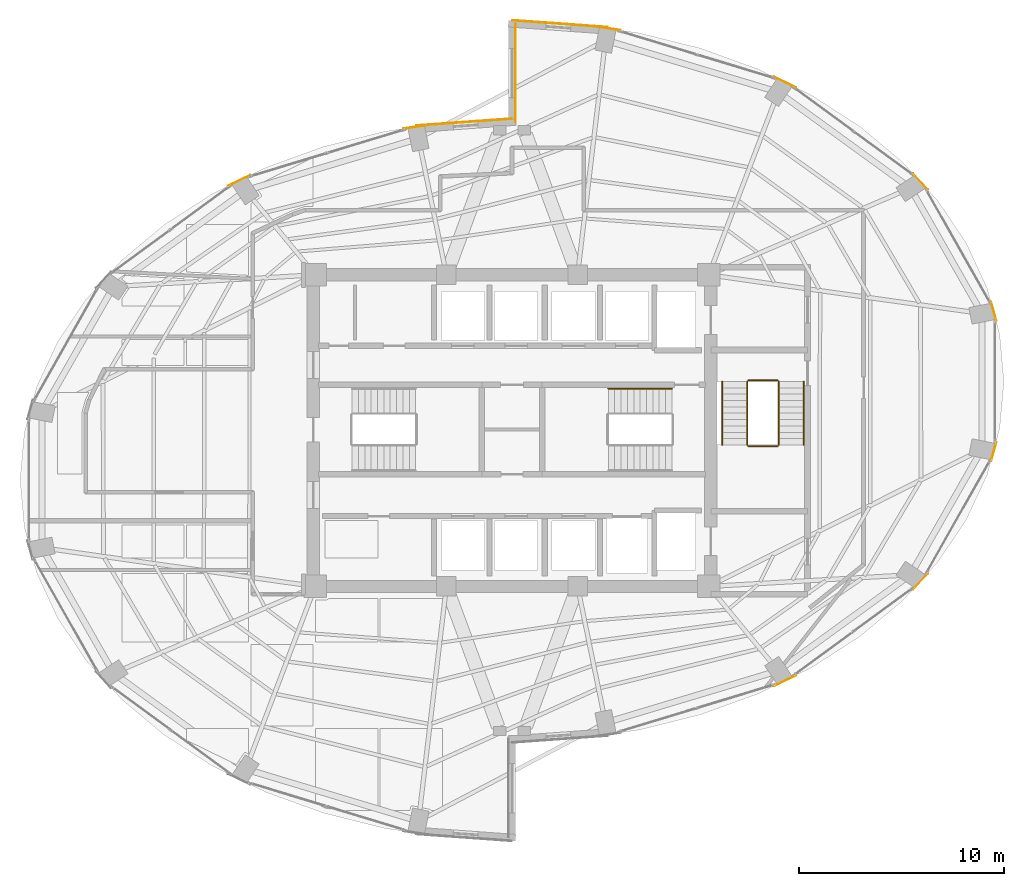
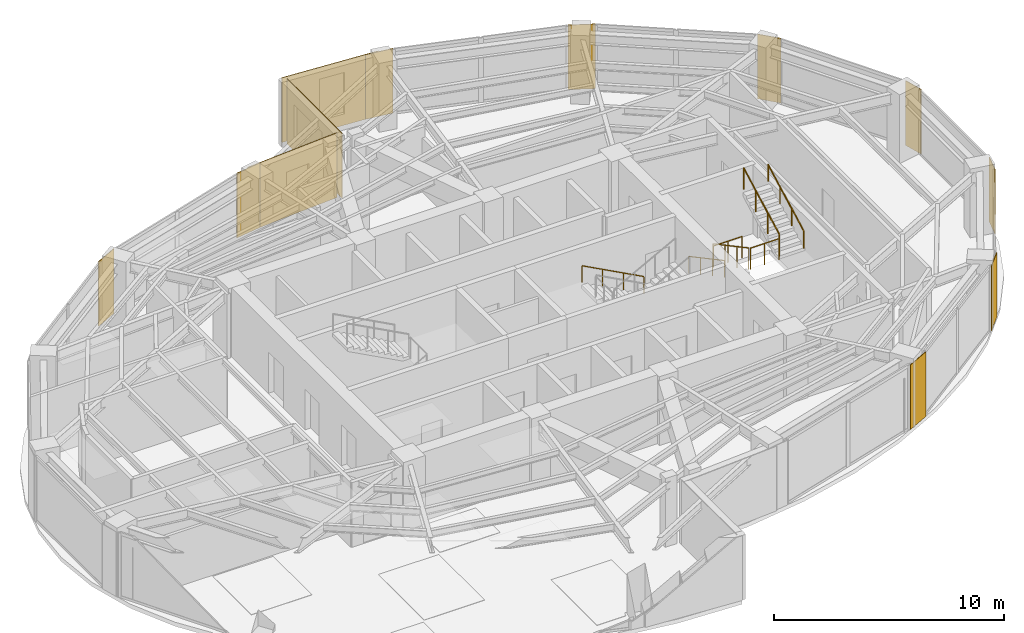
# One storey, part 20 of 20: 12 coverings, 7 railings.
"""IFC4 building model written with IfcOpenShell, lengths in metres."""

from ifc_helpers import new_model, si_unit, direction, frame, origin, origin_2d, place, context, subcontext, project, spatial, rectangle, circle, extrude, material, layer, layer_set, type_object, element, save


model = new_model("IFC4")

# Units and contexts
model_context = context("Model", 3, precision=1e-05, world=origin(), true_north=direction((0.0, 1.0)))
body_context = subcontext(model_context, "Body", "Model", "MODEL_VIEW")
ifc_project = project(units=[si_unit("LENGTHUNIT", "METRE"), si_unit("AREAUNIT", "SQUARE_METRE"), si_unit("VOLUMEUNIT", "CUBIC_METRE"), si_unit("PLANEANGLEUNIT", "RADIAN"), si_unit("MASSUNIT", "GRAM", prefix="KILO")], contexts=[model_context])

# Site, building, storey
site_placement = place(None, origin())
site = spatial("IfcSite", under=ifc_project, at=site_placement, CompositionType="ELEMENT")
building_placement = place(site_placement, origin())
building = spatial("IfcBuilding", under=site, at=building_placement, Name="Lazwardi Medical Tower", CompositionType="ELEMENT")
storey_placement = place(building_placement, frame((0.0, 0.0, 174.76806640625)))
storey = spatial("IfcBuildingStorey", under=building, at=storey_placement, Name="L45", CompositionType="ELEMENT", Elevation=174.76806640625)

# Coverings
ifc_material_1 = material(Name="Anodised bronze aluminium cassette cladding", Category="aluminium")
ifc_layer_1 = layer(ifc_material_1, 0.030029296875)
ifc_layer_set_1 = layer_set([ifc_layer_1], Name="Anodised bronze aluminium cassette cladding")
covering_type_1 = type_object("IfcCoveringType", Name="COV-CLD-BRZ", PredefinedType="CLADDING", material=ifc_layer_set_1)
covering_1_placement = place(storey_placement, frame((49.31103515625, 15.798095703125, 0.0), z_axis=(0.0, 0.0, 1.0), x_axis=(0.898079014814, 0.439834154144, 0.0)))
element("IfcCovering", 1, at=covering_1_placement, inside=storey, type_object=covering_type_1, Name="L45 Mega-column bronze cassette cover M02", PredefinedType="CLADDING", context=body_context, shape_type="SweptSolid", body=[
    extrude(rectangle(XDim=1.200439453125, YDim=0.030029296875, at=origin_2d()), origin(), (0.0, 0.0, 1.0), 3.427978515625),
])
covering_2_placement = place(storey_placement, frame((55.92138671875, 20.643310546875, 0.0), z_axis=(0.0, 0.0, 1.0), x_axis=(0.673714459537, 0.738991763832, 0.0)))
element("IfcCovering", 2, at=covering_2_placement, inside=storey, type_object=covering_type_1, Name="L45 Mega-column bronze cassette cover M03", PredefinedType="CLADDING", context=body_context, shape_type="SweptSolid", body=[
    extrude(rectangle(XDim=1.0693359375, YDim=0.030029296875, at=origin_2d()), origin(), (0.0, 0.0, 1.0), 3.427978515625),
])
for number, where, z_axis, x_axis, name in (
    (3, (59.498779296875, 26.973876953125, 0.0), (0.0, 0.0, 1.0), (0.261828726257, 0.965114354938, 0.0), "L45 Mega-column bronze cassette cover M04"),
    (4, (59.498779296875, 33.826171875, 0.0), (0.0, 0.0, 1.0), (-0.261828726257, 0.965114354938, 0.0), "L45 Mega-column bronze cassette cover M05"),
):
    element("IfcCovering", number, at=place(storey_placement, frame(where, z_axis=z_axis, x_axis=x_axis)), inside=storey, type_object=covering_type_1, Name=name, PredefinedType="CLADDING", context=body_context, shape_type="SweptSolid", body=[
        extrude(rectangle(XDim=0.9658203125, YDim=0.030029296875, at=origin_2d()), origin(), (0.0, 0.0, 1.0), 3.427978515625),
    ])
covering_3_placement = place(storey_placement, frame((55.92138671875, 40.15673828125, 0.0), z_axis=(0.0, 0.0, 1.0), x_axis=(-0.673714459537, 0.738991763832, 0.0)))
element("IfcCovering", 5, at=covering_3_placement, inside=storey, type_object=covering_type_1, Name="L45 Mega-column bronze cassette cover M06", PredefinedType="CLADDING", context=body_context, shape_type="SweptSolid", body=[
    extrude(rectangle(XDim=1.0693359375, YDim=0.030029296875, at=origin_2d()), origin(), (0.0, 0.0, 1.0), 3.427978515625),
])
covering_4_placement = place(storey_placement, frame((49.31103515625, 45.001953125, 0.0), z_axis=(0.0, 0.0, 1.0), x_axis=(-0.898079014814, 0.439834154144, 0.0)))
element("IfcCovering", 6, at=covering_4_placement, inside=storey, type_object=covering_type_1, Name="L45 Mega-column bronze cassette cover M07", PredefinedType="CLADDING", context=body_context, shape_type="SweptSolid", body=[
    extrude(rectangle(XDim=1.200439453125, YDim=0.030029296875, at=origin_2d()), origin(), (0.0, 0.0, 1.0), 3.427978515625),
])
for number, where, z_axis, x_axis, name in (
    (7, (40.67431640625, 47.6240234375, 0.0), (0.0, 0.0, 1.0), (-0.989539138138, 0.144264666823, 0.0), "L45 Mega-column bronze cassette cover M08"),
    (8, (31.32568359375, 42.82421875, 0.0), (0.0, 0.0, 1.0), (-0.989539138138, -0.144264666823, 0.0), "L45 Mega-column bronze cassette cover M09"),
):
    element("IfcCovering", number, at=place(storey_placement, frame(where, z_axis=z_axis, x_axis=x_axis)), inside=storey, type_object=covering_type_1, Name=name, PredefinedType="CLADDING", context=body_context, shape_type="SweptSolid", body=[
        extrude(rectangle(XDim=1.28515625, YDim=0.030029296875, at=origin_2d()), origin(), (0.0, 0.0, 1.0), 3.427978515625),
    ])
covering_5_placement = place(storey_placement, frame((22.68896484375, 40.201904296875, 0.0), z_axis=(0.0, 0.0, 1.0), x_axis=(-0.898079014814, -0.439834154144, 0.0)))
element("IfcCovering", 9, at=covering_5_placement, inside=storey, type_object=covering_type_1, Name="L45 Mega-column bronze cassette cover M10", PredefinedType="CLADDING", context=body_context, shape_type="SweptSolid", body=[
    extrude(rectangle(XDim=1.200439453125, YDim=0.030029296875, at=origin_2d()), origin(), (0.0, 0.0, 1.0), 3.427978515625),
])
ifc_material_2 = material(Name="Turquoise glazed ceramic tilework cladding", Category="masonry")
ifc_layer_2 = layer(ifc_material_2, 0.034912109375)
ifc_layer_set_2 = layer_set([ifc_layer_2], Name="Turquoise glazed ceramic tilework cladding")
covering_type_2 = type_object("IfcCoveringType", Name="COV-CLD-TRQ", PredefinedType="CLADDING", material=ifc_layer_set_2)
covering_6_placement = place(storey_placement, frame((38.338134765625, 47.847412109375, 0.0), z_axis=(0.0, 0.0, 1.0), x_axis=(-0.997414510753, 0.071863020663, 0.0)))
element("IfcCovering", 10, at=covering_6_placement, inside=storey, type_object=covering_type_2, Name="L45 Turquoise glazed ceramic tilework cladding", PredefinedType="CLADDING", context=body_context, shape_type="SweptSolid", body=[
    extrude(rectangle(XDim=4.6630859375, YDim=0.034912109375, at=origin_2d()), origin(), (0.0, 0.0, 1.0), 3.427978515625),
])
covering_7_placement = place(storey_placement, frame((33.66162109375, 43.047607421875, 0.0), z_axis=(0.0, 0.0, 1.0), x_axis=(-0.997414134466, -0.071868243112, 0.0)))
element("IfcCovering", 11, at=covering_7_placement, inside=storey, type_object=covering_type_2, Name="L45 Turquoise glazed ceramic tilework cladding", PredefinedType="CLADDING", context=body_context, shape_type="SweptSolid", body=[
    extrude(rectangle(XDim=4.66259765625, YDim=0.034912109375, at=origin_2d()), origin(), (0.0, 0.0, 1.0), 3.427978515625),
])
covering_8_placement = place(storey_placement, frame((36.175537109375, 45.43994140625, 0.0), z_axis=(0.0, 0.0, 1.0), x_axis=(0.0, -1.0, 0.0)))
element("IfcCovering", 12, at=covering_8_placement, inside=storey, type_object=covering_type_2, Name="L45 Turquoise glazed ceramic tilework iwan panel", PredefinedType="CLADDING", context=body_context, shape_type="SweptSolid", body=[
    extrude(rectangle(XDim=4.800048828125, YDim=0.034912109375, at=origin_2d()), origin(), (0.0, 0.0, 1.0), 3.427978515625),
])

# Railings
ifc_material_3 = material(Name="Stainless steel Grade 316", Category="steel")
railing_type_1 = type_object("IfcRailingType", Name="RLG-GRD-1150", PredefinedType="GUARDRAIL", material=ifc_material_3)
railing_1_placement = place(storey_placement, frame((47.469970703125, 30.39990234375, 0.165771484375)))
element("IfcRailing", 13, at=railing_1_placement, inside=storey, type_object=railing_type_1, Name="L45 ST3 stair guard 1", PredefinedType="GUARDRAIL", context=body_context, shape_type="SweptSolid", body=[
    extrude(circle(Radius=0.02392578125, at=origin_2d()), frame((0.0, 0.0, 1.1259765625), z_axis=(0.0, -0.881767849116, 0.471683644262), x_axis=(1.0, 0.0, 0.0)), (0.0, 0.0, 1.0), 3.515380859375),
    extrude(circle(Radius=0.02099609375, at=origin_2d()), origin(), (0.0, 0.0, 1.0), 1.099853515625),
    extrude(circle(Radius=0.02099609375, at=origin_2d()), frame((0.0, -1.033203125, 0.552734375)), (0.0, 0.0, 1.0), 1.099853515625),
    extrude(circle(Radius=0.02099609375, at=origin_2d()), frame((0.0, -2.066650390625, 1.10546875)), (0.0, 0.0, 1.0), 1.099853515625),
    extrude(circle(Radius=0.02099609375, at=origin_2d()), frame((0.0, -3.099853515625, 1.658203125)), (0.0, 0.0, 1.0), 1.099853515625),
])
railing_2_placement = place(storey_placement, frame((47.52001953125, 27.25, 1.823974609375)))
element("IfcRailing", 14, at=railing_2_placement, inside=storey, type_object=railing_type_1, Name="L45 ST3 stair guard 2", PredefinedType="GUARDRAIL", context=body_context, shape_type="SweptSolid", body=[
    extrude(circle(Radius=0.02392578125, at=origin_2d()), frame((0.0, 0.0, 1.1259765625), z_axis=(1.0, 0.0, 0.0), x_axis=(0.0, 1.0, 0.0)), (0.0, 0.0, 1.0), 1.43994140625),
    extrude(circle(Radius=0.02099609375, at=origin_2d()), origin(), (0.0, 0.0, 1.0), 1.099853515625),
    extrude(circle(Radius=0.02099609375, at=origin_2d()), frame((0.719970703125, 0.0, 0.0)), (0.0, 0.0, 1.0), 1.099853515625),
    extrude(circle(Radius=0.02099609375, at=origin_2d()), frame((1.43994140625, 0.0, 0.0)), (0.0, 0.0, 1.0), 1.099853515625),
])
railing_3_placement = place(storey_placement, frame((49.010009765625, 27.300048828125, 1.98974609375)))
element("IfcRailing", 15, at=railing_3_placement, inside=storey, type_object=railing_type_1, Name="L45 ST3 stair guard 3", PredefinedType="GUARDRAIL", context=body_context, shape_type="SweptSolid", body=[
    extrude(circle(Radius=0.02392578125, at=origin_2d()), frame((0.0, 0.0, 1.1259765625), z_axis=(0.0, 0.881767849116, 0.471683644262), x_axis=(-1.0, 0.0, 0.0)), (0.0, 0.0, 1.0), 3.515380859375),
    extrude(circle(Radius=0.02099609375, at=origin_2d()), origin(), (0.0, 0.0, 1.0), 1.099853515625),
    extrude(circle(Radius=0.02099609375, at=origin_2d()), frame((0.0, 1.033203125, 0.552734375)), (0.0, 0.0, 1.0), 1.099853515625),
    extrude(circle(Radius=0.02099609375, at=origin_2d()), frame((0.0, 2.066650390625, 1.10546875)), (0.0, 0.0, 1.0), 1.099853515625),
    extrude(circle(Radius=0.02099609375, at=origin_2d()), frame((0.0, 3.099853515625, 1.658203125)), (0.0, 0.0, 1.0), 1.099853515625),
])
railing_4_placement = place(storey_placement, frame((47.52001953125, 30.449951171875, 0.0)))
element("IfcRailing", 16, at=railing_4_placement, inside=storey, type_object=railing_type_1, Name="L45 ST3 stair guard 4", PredefinedType="GUARDRAIL", context=body_context, shape_type="SweptSolid", body=[
    extrude(circle(Radius=0.02392578125, at=origin_2d()), frame((0.0, 0.0, 1.1259765625), z_axis=(1.0, 0.0, 0.0), x_axis=(0.0, 1.0, 0.0)), (0.0, 0.0, 1.0), 1.43994140625),
    extrude(circle(Radius=0.02099609375, at=origin_2d()), origin(), (0.0, 0.0, 1.0), 1.099853515625),
    extrude(circle(Radius=0.02099609375, at=origin_2d()), frame((0.719970703125, 0.0, 0.0)), (0.0, 0.0, 1.0), 1.099853515625),
    extrude(circle(Radius=0.02099609375, at=origin_2d()), frame((1.43994140625, 0.0, 0.0)), (0.0, 0.0, 1.0), 1.099853515625),
])
railing_type_2 = type_object("IfcRailingType", Name="RLG-HND-920", PredefinedType="HANDRAIL", material=ifc_material_3)
railing_5_placement = place(storey_placement, frame((43.800048828125, 30.050048828125, 0.165771484375)))
element("IfcRailing", 17, at=railing_5_placement, inside=storey, type_object=railing_type_2, Name="L45 ST2 stair handrail 1", PredefinedType="HANDRAIL", context=body_context, shape_type="SweptSolid", body=[
    extrude(circle(Radius=0.02392578125, at=origin_2d()), frame((0.0, 0.0, 0.8857421875), z_axis=(-0.881783298633, 0.0, 0.471654761719), x_axis=(0.0, -1.0, 0.0)), (0.0, 0.0, 1.0), 3.515625),
    extrude(circle(Radius=0.02099609375, at=origin_2d()), origin(), (0.0, 0.0, 1.0), 0.85986328125),
    extrude(circle(Radius=0.02099609375, at=origin_2d()), frame((-1.033447265625, 0.0, 0.552734375)), (0.0, 0.0, 1.0), 0.85986328125),
    extrude(circle(Radius=0.02099609375, at=origin_2d()), frame((-2.066650390625, 0.0, 1.10546875)), (0.0, 0.0, 1.0), 0.85986328125),
    extrude(circle(Radius=0.02099609375, at=origin_2d()), frame((-3.10009765625, 0.0, 1.658203125)), (0.0, 0.0, 1.0), 0.85986328125),
])
railing_6_placement = place(storey_placement, frame((46.25, 30.39990234375, 0.165771484375)))
element("IfcRailing", 18, at=railing_6_placement, inside=storey, type_object=railing_type_2, Name="L45 ST3 stair handrail 1", PredefinedType="HANDRAIL", context=body_context, shape_type="SweptSolid", body=[
    extrude(circle(Radius=0.02392578125, at=origin_2d()), frame((0.0, 0.0, 0.8857421875), z_axis=(0.0, -0.881767849116, 0.471683644262), x_axis=(1.0, 0.0, 0.0)), (0.0, 0.0, 1.0), 3.515380859375),
    extrude(circle(Radius=0.02099609375, at=origin_2d()), origin(), (0.0, 0.0, 1.0), 0.85986328125),
    extrude(circle(Radius=0.02099609375, at=origin_2d()), frame((0.0, -1.033203125, 0.552734375)), (0.0, 0.0, 1.0), 0.85986328125),
    extrude(circle(Radius=0.02099609375, at=origin_2d()), frame((0.0, -2.066650390625, 1.10546875)), (0.0, 0.0, 1.0), 0.85986328125),
    extrude(circle(Radius=0.02099609375, at=origin_2d()), frame((0.0, -3.099853515625, 1.658203125)), (0.0, 0.0, 1.0), 0.85986328125),
])
railing_7_placement = place(storey_placement, frame((50.22998046875, 27.300048828125, 1.98974609375)))
element("IfcRailing", 19, at=railing_7_placement, inside=storey, type_object=railing_type_2, Name="L45 ST3 stair handrail 2", PredefinedType="HANDRAIL", context=body_context, shape_type="SweptSolid", body=[
    extrude(circle(Radius=0.02392578125, at=origin_2d()), frame((0.0, 0.0, 0.8857421875), z_axis=(0.0, 0.881767849116, 0.471683644262), x_axis=(-1.0, 0.0, 0.0)), (0.0, 0.0, 1.0), 3.515380859375),
    extrude(circle(Radius=0.02099609375, at=origin_2d()), origin(), (0.0, 0.0, 1.0), 0.85986328125),
    extrude(circle(Radius=0.02099609375, at=origin_2d()), frame((0.0, 1.033203125, 0.552734375)), (0.0, 0.0, 1.0), 0.85986328125),
    extrude(circle(Radius=0.02099609375, at=origin_2d()), frame((0.0, 2.066650390625, 1.10546875)), (0.0, 0.0, 1.0), 0.85986328125),
    extrude(circle(Radius=0.02099609375, at=origin_2d()), frame((0.0, 3.099853515625, 1.658203125)), (0.0, 0.0, 1.0), 0.85986328125),
])

save(model, "model.ifc")
